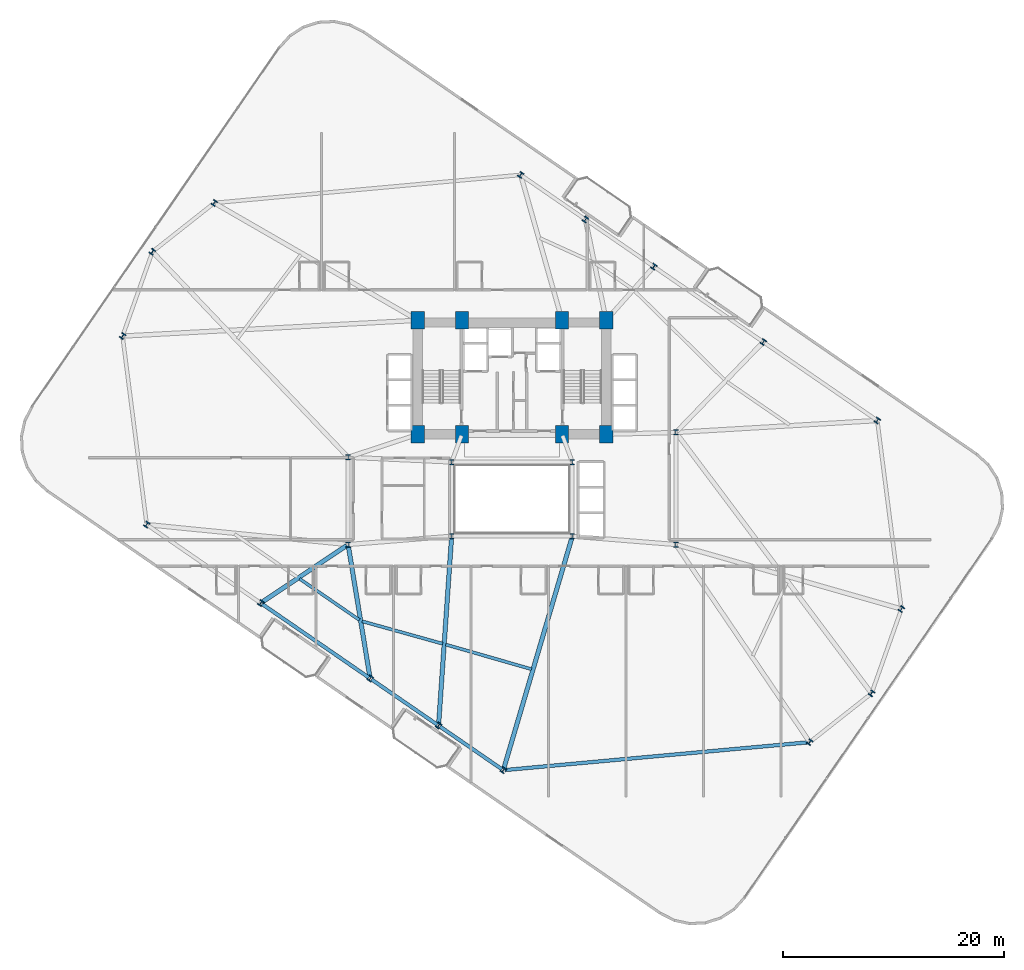
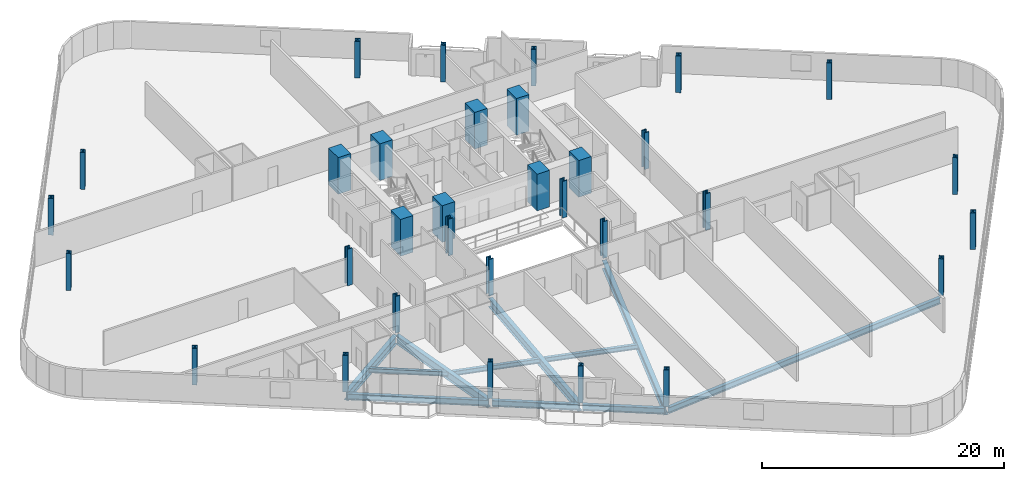
# One storey, part 1 of 25: 32 columns, 11 beams.
"""IFC4 building model written with IfcOpenShell, lengths in metres."""

from ifc_helpers import new_model, si_unit, direction, frame, origin, origin_2d, place, context, subcontext, project, spatial, rectangle, i_section, extrude, material, material_profile, profile_set, type_object, element, save


model = new_model("IFC4")

# Units and contexts
model_context = context("Model", 3, precision=1e-05, world=origin(), true_north=direction((0.0, 1.0)))
body_context = subcontext(model_context, "Body", "Model", "MODEL_VIEW")
ifc_project = project(units=[si_unit("LENGTHUNIT", "METRE"), si_unit("AREAUNIT", "SQUARE_METRE"), si_unit("VOLUMEUNIT", "CUBIC_METRE"), si_unit("PLANEANGLEUNIT", "RADIAN"), si_unit("MASSUNIT", "GRAM", prefix="KILO")], contexts=[model_context])

# Site, building, storey
site_placement = place(None, origin())
site = spatial("IfcSite", under=ifc_project, at=site_placement, CompositionType="ELEMENT")
building_placement = place(site_placement, origin())
building = spatial("IfcBuilding", under=site, at=building_placement, Name="Varnelok Gate Tower", CompositionType="ELEMENT")
storey_placement = place(building_placement, frame((0.0, 0.0, 56.60009765625)))
storey = spatial("IfcBuildingStorey", under=building, at=storey_placement, Name="L13", CompositionType="ELEMENT", Elevation=56.60009765625)

# Columns
ifc_material_1 = material(Name="Concrete C70/85", Category="concrete")
ifc_material_profile_1 = material_profile(ifc_material_1, rectangle(XDim=1.199951171875, YDim=1.60009765625, at=origin_2d()), Name="RC1600X1200")
ifc_profile_set_1 = profile_set([ifc_material_profile_1], Name="Concrete C70/85")
column_type_1 = type_object("IfcColumnType", Name="COL-RC1600X1200", PredefinedType="COLUMN", material=ifc_profile_set_1)
for number, where, z_axis, x_axis, name in (
    (1, (30.699951171875, 28.75, 0.0), (0.0, 0.0, 1.0), (1.0, 0.0, 0.0), "L13 Core Spine Column SC1"),
    (2, (34.679931640625, 28.75, 0.0), (0.0, 0.0, 1.0), (1.0, 0.0, 0.0), "L13 Core Spine Column SC2"),
    (3, (43.719970703125, 28.75, 0.0), (0.0, 0.0, 1.0), (1.0, 0.0, 0.0), "L13 Core Spine Column SC3"),
    (4, (47.699951171875, 28.75, 0.0), (0.0, 0.0, 1.0), (1.0, 0.0, 0.0), "L13 Core Spine Column SC4"),
    (5, (30.699951171875, 39.050048828125, 0.0), (0.0, 0.0, 1.0), (1.0, 0.0, 0.0), "L13 Core Spine Column SC5"),
    (6, (34.679931640625, 39.050048828125, 0.0), (0.0, 0.0, 1.0), (1.0, 0.0, 0.0), "L13 Core Spine Column SC6"),
    (7, (43.719970703125, 39.050048828125, 0.0), (0.0, 0.0, 1.0), (1.0, 0.0, 0.0), "L13 Core Spine Column SC7"),
    (8, (47.699951171875, 39.050048828125, 0.0), (0.0, 0.0, 1.0), (1.0, 0.0, 0.0), "L13 Core Spine Column SC8"),
):
    element("IfcColumn", number, at=place(storey_placement, frame(where, z_axis=z_axis, x_axis=x_axis)), inside=storey, type_object=column_type_1, Name=name, PredefinedType="COLUMN", context=body_context, shape_type="SweptSolid", body=[
        extrude(rectangle(XDim=1.199951171875, YDim=1.60009765625, at=origin_2d()), origin(), (0.0, 0.0, 1.0), 3.699951171875),
    ])
ifc_material_2 = material(Name="Structural Steel ASTM A992 Grade 50", Category="steel")
ifc_material_profile_2 = material_profile(ifc_material_2, i_section(OverallWidth=0.431884765625, OverallDepth=0.498046875, WebThickness=0.0556640625, FlangeThickness=0.0888671875, FilletRadius=0.02490234375, at=origin_2d()), Name="W14X500")
ifc_profile_set_2 = profile_set([ifc_material_profile_2], Name="Structural Steel ASTM A992 Grade 50")
column_type_2 = type_object("IfcColumnType", Name="COL-W14X500", PredefinedType="COLUMN", material=ifc_profile_set_2)
for number, where, z_axis, x_axis, name in (
    (9, (33.75, 19.550048828125, 0.0), (0.0, 0.0, 1.0), (1.0, 0.0, 0.0), "L13 Atrium Spine Column AC1"),
    (10, (44.64990234375, 19.550048828125, 0.0), (0.0, 0.0, 1.0), (1.0, 0.0, 0.0), "L13 Atrium Spine Column AC2"),
    (11, (33.75, 26.25, 0.0), (0.0, 0.0, 1.0), (1.0, 0.0, 0.0), "L13 Atrium Spine Column AC3"),
    (12, (44.64990234375, 26.25, 0.0), (0.0, 0.0, 1.0), (1.0, 0.0, 0.0), "L13 Atrium Spine Column AC4"),
    (13, (24.39990234375, 18.800048828125, 0.0), (0.0, 0.0, 1.0), (1.0, 0.0, 0.0), "L13 Wing Spine Column WS1"),
    (14, (24.39990234375, 26.679931640625, 0.0), (0.0, 0.0, 1.0), (1.0, 0.0, 0.0), "L13 Wing Spine Column WS2"),
    (15, (54.0, 18.800048828125, 0.0), (0.0, 0.0, 1.0), (1.0, 0.0, 0.0), "L13 Wing Spine Column ES1"),
    (16, (54.0, 28.919921875, 0.0), (0.0, 0.0, 1.0), (1.0, 0.0, 0.0), "L13 Wing Spine Column ES2"),
    (17, (6.214599609375, 20.602783203125, 0.0), (0.0, 0.0, 1.0), (0.823532597628, -0.567268949127, 0.0), "L13 B1 Perimeter Column PC01"),
    (18, (16.5087890625, 13.511962890625, 0.0), (0.0, 0.0, 1.0), (0.823532597628, -0.567268949127, 0.0), "L13 B1 Perimeter Column PC02"),
    (19, (26.39111328125, 6.70458984375, 0.0), (0.0, 0.0, 1.0), (0.823532597628, -0.567268949127, 0.0), "L13 B1 Perimeter Column PC03"),
    (20, (32.567626953125, 2.4501953125, 0.0), (0.0, 0.0, 1.0), (0.823532597628, -0.567268949127, 0.0), "L13 B1 Perimeter Column PC04"),
    (21, (38.41455078125, -1.577392578125, 0.0), (0.0, 0.0, 1.0), (0.823532597628, -0.567268949127, 0.0), "L13 B1 Perimeter Column PC05"),
    (22, (66.084716796875, 0.95263671875, 0.0), (0.0, 0.0, 1.0), (0.823532597628, -0.567268949127, 0.0), "L13 B1 Perimeter Column PC06"),
    (23, (71.669921875, 5.362548828125, 0.0), (0.0, 0.0, 1.0), (0.823532597628, -0.567268949127, 0.0), "L13 B1 Perimeter Column PC07"),
    (24, (74.366943359375, 12.976318359375, 0.0), (0.0, 0.0, 1.0), (0.823532597628, -0.567268949127, 0.0), "L13 B1 Perimeter Column PC08"),
    (25, (72.185546875, 29.997314453125, 0.0), (0.0, 0.0, 1.0), (0.823532597628, -0.567268949127, 0.0), "L13 B1 Perimeter Column PC09"),
    (26, (61.891357421875, 37.088134765625, 0.0), (0.0, 0.0, 1.0), (0.823532597628, -0.567268949127, 0.0), "L13 B1 Perimeter Column PC10"),
    (27, (52.0087890625, 43.8955078125, 0.0), (0.0, 0.0, 1.0), (0.823532597628, -0.567268949127, 0.0), "L13 B1 Perimeter Column PC11"),
    (28, (45.83251953125, 48.14990234375, 0.0), (0.0, 0.0, 1.0), (0.823532597628, -0.567268949127, 0.0), "L13 B1 Perimeter Column PC12"),
    (29, (39.9853515625, 52.177490234375, 0.0), (0.0, 0.0, 1.0), (0.823532597628, -0.567268949127, 0.0), "L13 B1 Perimeter Column PC13"),
    (30, (12.315185546875, 49.6474609375, 0.0), (0.0, 0.0, 1.0), (0.823532597628, -0.567268949127, 0.0), "L13 B1 Perimeter Column PC14"),
    (31, (6.72998046875, 45.237548828125, 0.0), (0.0, 0.0, 1.0), (0.823532597628, -0.567268949127, 0.0), "L13 B1 Perimeter Column PC15"),
    (32, (4.033203125, 37.623779296875, 0.0), (0.0, 0.0, 1.0), (0.823532597628, -0.567268949127, 0.0), "L13 B1 Perimeter Column PC16"),
):
    element("IfcColumn", number, at=place(storey_placement, frame(where, z_axis=z_axis, x_axis=x_axis)), inside=storey, type_object=column_type_2, Name=name, PredefinedType="COLUMN", context=body_context, shape_type="SweptSolid", body=[
        extrude(i_section(OverallWidth=0.431884765625, OverallDepth=0.498046875, WebThickness=0.0556640625, FlangeThickness=0.0888671875, FilletRadius=0.02490234375, at=origin_2d()), origin(), (0.0, 0.0, 1.0), 3.699951171875),
    ])

# Beams
ifc_material_profile_3 = material_profile(ifc_material_2, i_section(OverallWidth=0.280029296875, OverallDepth=0.462890625, WebThickness=0.0107421875, FlangeThickness=0.017333984375, FilletRadius=0.014892578125, at=origin_2d()), Name="W18X76")
ifc_profile_set_3 = profile_set([ifc_material_profile_3], Name="Structural Steel ASTM A992 Grade 50")
beam_type_1 = type_object("IfcBeamType", Name="BM-JST-W18X76", PredefinedType="JOIST", material=ifc_profile_set_3)
beam_1_placement = place(storey_placement, frame((20.017333984375, 15.706298828125, -0.481689453125), z_axis=(0.823537737391, -0.567261487405, 0.0), x_axis=(0.567261487405, 0.823537737391, 0.0)))
element("IfcBeam", 33, at=beam_1_placement, inside=storey, type_object=beam_type_1, Name="L13 Sector Floor Joist 2", PredefinedType="JOIST", context=body_context, shape_type="SweptSolid", body=[
    extrude(i_section(OverallWidth=0.280029296875, OverallDepth=0.462890625, WebThickness=0.0107421875, FlangeThickness=0.017333984375, FilletRadius=0.014892578125, at=origin_2d()), origin(), (0.0, 0.0, 1.0), 6.559814453125),
])
beam_2_placement = place(storey_placement, frame((25.669921875, 11.867919921875, -0.481689453125), z_axis=(0.963267736432, -0.268542860544, 0.0), x_axis=(0.268542860544, 0.963267736432, 0.0)))
element("IfcBeam", 34, at=beam_2_placement, inside=storey, type_object=beam_type_1, Name="L13 Sector Floor Joist 3", PredefinedType="JOIST", context=body_context, shape_type="SweptSolid", body=[
    extrude(i_section(OverallWidth=0.280029296875, OverallDepth=0.462890625, WebThickness=0.0107421875, FlangeThickness=0.017333984375, FilletRadius=0.014892578125, at=origin_2d()), origin(), (0.0, 0.0, 1.0), 7.548583984375),
])
beam_3_placement = place(storey_placement, frame((33.210693359375, 9.764404296875, -0.481689453125), z_axis=(0.961390127842, -0.275189066078, 0.0), x_axis=(0.275189066078, 0.961390127842, 0.0)))
element("IfcBeam", 35, at=beam_3_placement, inside=storey, type_object=beam_type_1, Name="L13 Sector Floor Joist 4", PredefinedType="JOIST", context=body_context, shape_type="SweptSolid", body=[
    extrude(i_section(OverallWidth=0.280029296875, OverallDepth=0.462890625, WebThickness=0.0107421875, FlangeThickness=0.017333984375, FilletRadius=0.014892578125, at=origin_2d()), origin(), (0.0, 0.0, 1.0), 8.061767578125),
])
ifc_material_profile_4 = material_profile(ifc_material_2, i_section(OverallWidth=0.39892578125, OverallDepth=0.85498046875, WebThickness=0.018310546875, FlangeThickness=0.029296875, FilletRadius=0.02392578125, at=origin_2d()), Name="W33X201")
ifc_profile_set_4 = profile_set([ifc_material_profile_4], Name="Structural Steel ASTM A992 Grade 50")
beam_type_2 = type_object("IfcBeamType", Name="BM-PRI-W33X201", PredefinedType="BEAM", material=ifc_profile_set_4)
beam_4_placement = place(storey_placement, frame((24.275390625, 18.716552734375, -0.677490234375), z_axis=(-0.830725059098, -0.556682922485, 0.0), x_axis=(0.556682922485, -0.830725059098, 0.0)))
element("IfcBeam", 36, at=beam_4_placement, inside=storey, type_object=beam_type_2, Name="L13 Radial Floor Girder 2", PredefinedType="BEAM", context=body_context, shape_type="SweptSolid", body=[
    extrude(i_section(OverallWidth=0.39892578125, OverallDepth=0.85498046875, WebThickness=0.018310546875, FlangeThickness=0.029296875, FilletRadius=0.02392578125, at=origin_2d()), origin(), (0.0, 0.0, 1.0), 9.19921875),
])
beam_5_placement = place(storey_placement, frame((24.42431640625, 18.652099609375, -0.677490234375), z_axis=(0.162428802214, -0.986720266444, 0.0), x_axis=(0.986720266444, 0.162428802214, 0.0)))
element("IfcBeam", 37, at=beam_5_placement, inside=storey, type_object=beam_type_2, Name="L13 Radial Floor Girder 3", PredefinedType="BEAM", context=body_context, shape_type="SweptSolid", body=[
    extrude(i_section(OverallWidth=0.39892578125, OverallDepth=0.85498046875, WebThickness=0.018310546875, FlangeThickness=0.029296875, FilletRadius=0.02392578125, at=origin_2d()), origin(), (0.0, 0.0, 1.0), 11.958251953125),
])
beam_6_placement = place(storey_placement, frame((33.73974609375, 19.400390625, -0.677490234375), z_axis=(-0.068990652765, -0.997617306301, 0.0), x_axis=(0.997617306301, -0.068990652765, 0.0)))
element("IfcBeam", 38, at=beam_6_placement, inside=storey, type_object=beam_type_2, Name="L13 Radial Floor Girder 4", PredefinedType="BEAM", context=body_context, shape_type="SweptSolid", body=[
    extrude(i_section(OverallWidth=0.39892578125, OverallDepth=0.85498046875, WebThickness=0.018310546875, FlangeThickness=0.029296875, FilletRadius=0.02392578125, at=origin_2d()), origin(), (0.0, 0.0, 1.0), 16.8408203125),
])
beam_7_placement = place(storey_placement, frame((44.607421875, 19.406005859375, -0.677490234375), z_axis=(-0.283059829362, -0.959102253673, 0.0), x_axis=(0.959102253673, -0.283059829362, 0.0)))
element("IfcBeam", 39, at=beam_7_placement, inside=storey, type_object=beam_type_2, Name="L13 Radial Floor Girder 5", PredefinedType="BEAM", context=body_context, shape_type="SweptSolid", body=[
    extrude(i_section(OverallWidth=0.39892578125, OverallDepth=0.85498046875, WebThickness=0.018310546875, FlangeThickness=0.029296875, FilletRadius=0.02392578125, at=origin_2d()), origin(), (0.0, 0.0, 1.0), 21.728271484375),
])
ifc_material_profile_5 = material_profile(ifc_material_2, i_section(OverallWidth=0.323974609375, OverallDepth=0.611083984375, WebThickness=0.0126953125, FlangeThickness=0.01904296875, FilletRadius=0.01806640625, at=origin_2d()), Name="W24X104")
ifc_profile_set_5 = profile_set([ifc_material_profile_5], Name="Structural Steel ASTM A992 Grade 50")
beam_type_3 = type_object("IfcBeamType", Name="BM-SPN-W24X104", PredefinedType="SPANDREL", material=ifc_profile_set_5)
beam_8_placement = place(storey_placement, frame((16.632080078125, 13.4267578125, -0.5556640625), z_axis=(0.823540527698, -0.567257436478, 0.0), x_axis=(0.567257436478, 0.823540527698, 0.0)))
element("IfcBeam", 40, at=beam_8_placement, inside=storey, type_object=beam_type_3, Name="L13 Perimeter Spandrel Beam 2", PredefinedType="SPANDREL", context=body_context, shape_type="SweptSolid", body=[
    extrude(i_section(OverallWidth=0.323974609375, OverallDepth=0.611083984375, WebThickness=0.0126953125, FlangeThickness=0.01904296875, FilletRadius=0.01806640625, at=origin_2d()), origin(), (0.0, 0.0, 1.0), 11.7001953125),
])
beam_9_placement = place(storey_placement, frame((26.5146484375, 6.619384765625, -0.5556640625), z_axis=(0.823539986654, -0.56725822196, 0.0), x_axis=(0.56725822196, 0.823539986654, 0.0)))
element("IfcBeam", 41, at=beam_9_placement, inside=storey, type_object=beam_type_3, Name="L13 Perimeter Spandrel Beam 3", PredefinedType="SPANDREL", context=body_context, shape_type="SweptSolid", body=[
    extrude(i_section(OverallWidth=0.323974609375, OverallDepth=0.611083984375, WebThickness=0.0126953125, FlangeThickness=0.01904296875, FilletRadius=0.01806640625, at=origin_2d()), origin(), (0.0, 0.0, 1.0), 7.199951171875),
])
beam_10_placement = place(storey_placement, frame((32.691162109375, 2.364990234375, -0.5556640625), z_axis=(0.823525119645, -0.567279805135, 0.0), x_axis=(0.567279805135, 0.823525119645, 0.0)))
element("IfcBeam", 42, at=beam_10_placement, inside=storey, type_object=beam_type_3, Name="L13 Perimeter Spandrel Beam 4", PredefinedType="SPANDREL", context=body_context, shape_type="SweptSolid", body=[
    extrude(i_section(OverallWidth=0.323974609375, OverallDepth=0.611083984375, WebThickness=0.0126953125, FlangeThickness=0.01904296875, FilletRadius=0.01806640625, at=origin_2d()), origin(), (0.0, 0.0, 1.0), 6.7998046875),
])
beam_11_placement = place(storey_placement, frame((38.56396484375, -1.563720703125, -0.5556640625), z_axis=(0.995845891963, 0.091054705864, 0.0), x_axis=(-0.091054705864, 0.995845891963, 0.0)))
element("IfcBeam", 43, at=beam_11_placement, inside=storey, type_object=beam_type_3, Name="L13 Perimeter Spandrel Beam 5", PredefinedType="SPANDREL", context=body_context, shape_type="SweptSolid", body=[
    extrude(i_section(OverallWidth=0.323974609375, OverallDepth=0.611083984375, WebThickness=0.0126953125, FlangeThickness=0.01904296875, FilletRadius=0.01806640625, at=origin_2d()), origin(), (0.0, 0.0, 1.0), 27.485595703125),
])

save(model, "model.ifc")
